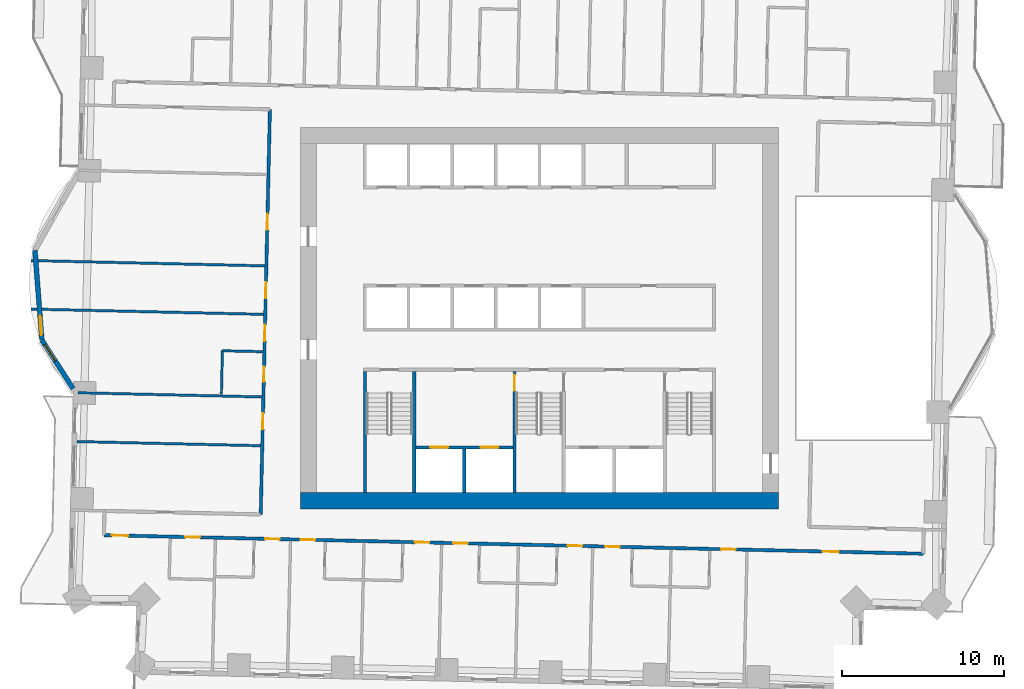
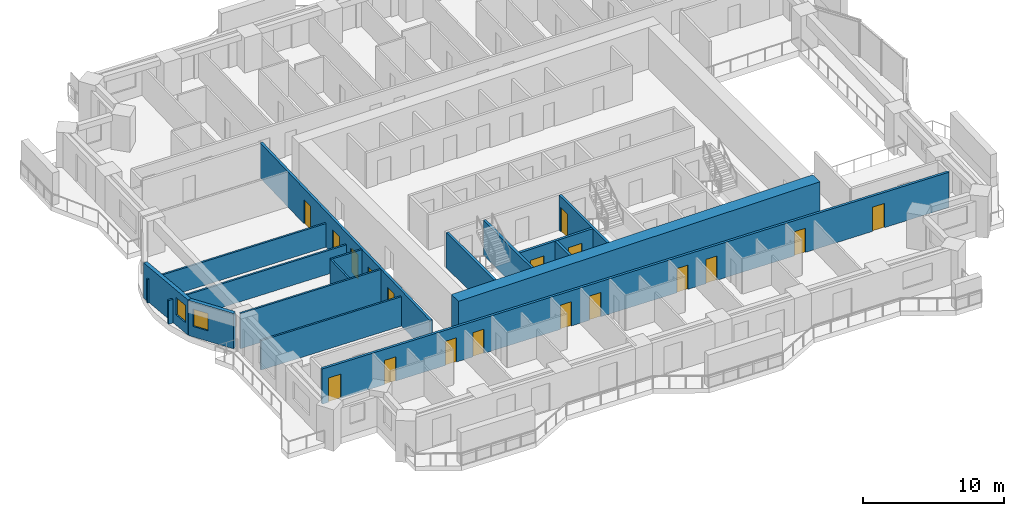
# One storey, part 7 of 16: 18 doors, 16 walls, 2 windows, 20 openings.
"""IFC4 building model written with IfcOpenShell, lengths in metres."""

from ifc_helpers import new_model, si_unit, direction, frame, frame_2d, origin, place, context, subcontext, project, spatial, rectangle, extrude, material, layer, layer_set, type_object, element, fill, save


model = new_model("IFC4")

# Units and contexts
model_context = context("Model", 3, precision=1e-05, world=origin(), true_north=direction((0.0, 1.0)))
body_context = subcontext(model_context, "Body", "Model", "MODEL_VIEW")
ifc_project = project(units=[si_unit("LENGTHUNIT", "METRE"), si_unit("AREAUNIT", "SQUARE_METRE"), si_unit("VOLUMEUNIT", "CUBIC_METRE"), si_unit("PLANEANGLEUNIT", "RADIAN"), si_unit("MASSUNIT", "GRAM", prefix="KILO")], contexts=[model_context])

# Site, building, storey
site_placement = place(None, origin())
site = spatial("IfcSite", under=ifc_project, at=site_placement, CompositionType="ELEMENT")
building_placement = place(site_placement, origin())
building = spatial("IfcBuilding", under=site, at=building_placement, Name="Mangrove Gate Tower", CompositionType="ELEMENT")
storey_placement = place(building_placement, frame((0.0, 0.0, 109.10009765625)))
storey = spatial("IfcBuildingStorey", under=building, at=storey_placement, Name="L27", CompositionType="ELEMENT", Elevation=109.10009765625)

# Wall, openings, doors
ifc_material_1 = material(Name="Concrete C70/85", Category="concrete")
ifc_layer_1 = layer(ifc_material_1, 0.199951171875)
ifc_layer_set_1 = layer_set([ifc_layer_1], Name="Core shaft wall 200 C70/85")
wall_type_1 = type_object("IfcWallType", Name="Core shaft wall 200 C70/85", PredefinedType="SHEAR", material=ifc_layer_set_1)
wall_1_placement = place(storey_placement, frame((-7.64990234375, -8.0, 0.0), z_axis=(0.0, 0.0, 1.0), x_axis=(1.0, 0.0, 0.0)))
wall_1 = element("IfcWall", 1, at=wall_1_placement, inside=storey, type_object=wall_type_1, Name="WALL-L27-CORE-15", PredefinedType="SHEAR", context=body_context, shape_type="SweptSolid", body=[
    extrude(rectangle(XDim=6.0, YDim=0.199951171875, at=frame_2d((3.0, 0.0))), origin(), (0.0, 0.0, 1.0), 3.0498046875),
])
opening_1_placement = place(wall_1_placement, frame((0.89990234375, 0.0, 0.0)))
opening_1 = element("IfcOpeningElement", 2, at=opening_1_placement, cuts=wall_1, Name="Opening LD", PredefinedType="OPENING", context=body_context, shape_type="SweptSolid", body=[
    extrude(rectangle(XDim=1.10009765625, YDim=2.10009765625, at=frame_2d((0.550048828125, 1.050048828125))), frame((0.0, 0.10986328125, 0.0), z_axis=(0.0, -1.0, 0.0), x_axis=(1.0, 0.0, 0.0)), (0.0, 0.0, 1.0), 0.219970703125),
])
opening_2_placement = place(wall_1_placement, frame((4.0, 0.0, 0.0)))
opening_2 = element("IfcOpeningElement", 3, at=opening_2_placement, cuts=wall_1, Name="Opening LD", PredefinedType="OPENING", context=body_context, shape_type="SweptSolid", body=[
    extrude(rectangle(XDim=1.10009765625, YDim=2.10009765625, at=frame_2d((0.550048828125, 1.050048828125))), frame((0.0, 0.10986328125, 0.0), z_axis=(0.0, -1.0, 0.0), x_axis=(1.0, 0.0, 0.0)), (0.0, 0.0, 1.0), 0.219970703125),
])
ifc_material_2 = material(Name="Stainless steel 316", Category="steel")
door_type_1 = type_object("IfcDoorType", Name="Lift landing door 1100x2100", OperationType="SLIDING_TO_LEFT", PredefinedType="DOOR", material=ifc_material_2)
door_1_placement = place(opening_1_placement, origin())
door_1 = element("IfcDoor", 4, at=door_1_placement, inside=storey, type_object=door_type_1, Name="Landing door LD SVL1", OperationType="SLIDING_TO_LEFT", OverallHeight=2.10009765625, OverallWidth=1.10009765625, PredefinedType="DOOR", context=body_context, shape_type="SweptSolid", body=[
    extrude(rectangle(XDim=1.10009765625, YDim=2.10009765625, at=frame_2d((0.550048828125, 1.050048828125))), frame((0.0, 0.02490234375, 0.0), z_axis=(0.0, -1.0, 0.0), x_axis=(1.0, 0.0, 0.0)), (0.0, 0.0, 1.0), 0.050048828125),
])
fill(opening_1, door_1)
door_2_placement = place(opening_2_placement, origin())
door_2 = element("IfcDoor", 5, at=door_2_placement, inside=storey, type_object=door_type_1, Name="Landing door LD SVL2", OperationType="SLIDING_TO_LEFT", OverallHeight=2.10009765625, OverallWidth=1.10009765625, PredefinedType="DOOR", context=body_context, shape_type="SweptSolid", body=[
    extrude(rectangle(XDim=1.10009765625, YDim=2.10009765625, at=frame_2d((0.550048828125, 1.050048828125))), frame((0.0, 0.02490234375, 0.0), z_axis=(0.0, -1.0, 0.0), x_axis=(1.0, 0.0, 0.0)), (0.0, 0.0, 1.0), 0.050048828125),
])
fill(opening_2, door_2)

# Walls
wall_2_placement = place(storey_placement, frame((-4.64990234375, -10.800048828125, 0.0), z_axis=(0.0, 0.0, 1.0), x_axis=(0.0, 1.0, 0.0)))
element("IfcWall", 6, at=wall_2_placement, inside=storey, type_object=wall_type_1, Name="WALL-L27-CORE-16", PredefinedType="SHEAR", context=body_context, shape_type="SweptSolid", body=[
    extrude(rectangle(XDim=2.699951171875, YDim=0.199951171875, at=frame_2d((1.35009765625, 0.0))), origin(), (0.0, 0.0, 1.0), 3.0498046875),
])
ifc_material_3 = material(Name="Concrete C70/85", Category="concrete")
ifc_layer_2 = layer(ifc_material_3, 0.199951171875)
ifc_layer_set_2 = layer_set([ifc_layer_2], Name="Core stair wall 200 C70/85")
wall_type_2 = type_object("IfcWallType", Name="Core stair wall 200 C70/85", PredefinedType="SHEAR", material=ifc_layer_set_2)
for number, where, z_axis, x_axis, name in (
    (7, (-10.800048828125, -10.800048828125, 0.0), (0.0, 0.0, 1.0), (0.0, 1.0, 0.0), "WALL-L27-CORE-9"),
    (8, (-7.75, -10.800048828125, 0.0), (0.0, 0.0, 1.0), (0.0, 1.0, 0.0), "WALL-L27-CORE-10"),
):
    element("IfcWall", number, at=place(storey_placement, frame(where, z_axis=z_axis, x_axis=x_axis)), inside=storey, type_object=wall_type_2, Name=name, PredefinedType="SHEAR", context=body_context, shape_type="SweptSolid", body=[
        extrude(rectangle(XDim=7.5, YDim=0.199951171875, at=frame_2d((3.75, 0.0))), origin(), (0.0, 0.0, 1.0), 3.0498046875),
    ])

# Wall, opening, door
wall_3_placement = place(storey_placement, frame((-1.550048828125, -10.800048828125, 0.0), z_axis=(0.0, 0.0, 1.0), x_axis=(0.0, 1.0, 0.0)))
wall_3 = element("IfcWall", 9, at=wall_3_placement, inside=storey, type_object=wall_type_2, Name="WALL-L27-CORE-11", PredefinedType="SHEAR", context=body_context, shape_type="SweptSolid", body=[
    extrude(rectangle(XDim=7.5, YDim=0.199951171875, at=frame_2d((3.75, 0.0))), origin(), (0.0, 0.0, 1.0), 3.0498046875),
])
opening_3_placement = place(wall_3_placement, frame((6.300048828125, 0.0, 0.0)))
opening_3 = element("IfcOpeningElement", 10, at=opening_3_placement, cuts=wall_3, Name="Opening STD10", PredefinedType="OPENING", context=body_context, shape_type="SweptSolid", body=[
    extrude(rectangle(XDim=1.0, YDim=2.10009765625, at=frame_2d((0.5, 1.050048828125))), frame((0.0, 0.10986328125, 0.0), z_axis=(0.0, -1.0, 0.0), x_axis=(1.0, 0.0, 0.0)), (0.0, 0.0, 1.0), 0.219970703125),
])
ifc_material_4 = material(Name="Fire-rated steel door set", Category="steel")
door_type_2 = type_object("IfcDoorType", Name="Stair door FD60 1000x2100", OperationType="SINGLE_SWING_RIGHT", PredefinedType="DOOR", material=ifc_material_4)
door_3_placement = place(opening_3_placement, origin())
door_3 = element("IfcDoor", 11, at=door_3_placement, inside=storey, type_object=door_type_2, Name="Stair door Stair 2 from service lobby", OperationType="SINGLE_SWING_RIGHT", OverallHeight=2.10009765625, OverallWidth=1.0, PredefinedType="DOOR", context=body_context, shape_type="SweptSolid", body=[
    extrude(rectangle(XDim=1.0, YDim=2.10009765625, at=frame_2d((0.5, 1.050048828125))), frame((0.0, 0.02490234375, 0.0), z_axis=(0.0, -1.0, 0.0), x_axis=(1.0, 0.0, 0.0)), (0.0, 0.0, 1.0), 0.050048828125),
])
fill(opening_3, door_3)

# Wall
ifc_material_5 = material(Name="Concrete C70/85", Category="concrete")
ifc_layer_3 = layer(ifc_material_5, 1.0)
ifc_layer_set_3 = layer_set([ifc_layer_3], Name="Core wall 1000 C70/85")
wall_type_3 = type_object("IfcWallType", Name="Core wall 1000 C70/85", PredefinedType="SHEAR", material=ifc_layer_set_3)
wall_4_placement = place(storey_placement, frame((-14.800048828125, -11.300048828125, 0.0), z_axis=(0.0, 0.0, 1.0), x_axis=(1.0, 0.0, 0.0)))
element("IfcWall", 12, at=wall_4_placement, inside=storey, type_object=wall_type_3, Name="WALL-L27-CORE-1", PredefinedType="SHEAR", context=body_context, shape_type="SweptSolid", body=[
    extrude(rectangle(XDim=29.60009765625, YDim=1.0, at=frame_2d((14.800048828125, 0.0))), origin(), (0.0, 0.0, 1.0), 3.599853515625),
])

# Wall, openings, doors
ifc_material_6 = material(Name="Gypsum board on steel stud, EI 60", Category="steel")
ifc_layer_4 = layer(ifc_material_6, 0.199951171875)
ifc_layer_set_4 = layer_set([ifc_layer_4], Name="Corridor wall EI 60")
wall_type_4 = type_object("IfcWallType", Name="Corridor wall EI 60", PredefinedType="PARTITIONING", material=ifc_layer_set_4)
wall_5_placement = place(storey_placement, frame((-26.952880859375, -13.428955078125, 0.0), z_axis=(0.0, 0.0, 1.0), x_axis=(0.999742734556, -0.02268181435, 0.0)))
wall_5 = element("IfcWall", 13, at=wall_5_placement, inside=storey, type_object=wall_type_4, Name="WALL-L27-022", PredefinedType="PARTITIONING", context=body_context, shape_type="SweptSolid", body=[
    extrude(rectangle(XDim=50.707763671875, YDim=0.199951171875, at=frame_2d((25.35400390625, 0.0))), origin(), (0.0, 0.0, 1.0), 3.0498046875),
])
opening_4_placement = place(wall_5_placement, frame((0.5, 0.0, 0.0)))
opening_4 = element("IfcOpeningElement", 14, at=opening_4_placement, cuts=wall_5, Name="Opening AD", PredefinedType="OPENING", context=body_context, shape_type="SweptSolid", body=[
    extrude(rectangle(XDim=1.0, YDim=2.10009765625, at=frame_2d((0.5, 1.050048828125))), frame((0.0, 0.10986328125, 0.0), z_axis=(0.0, -1.0, 0.0), x_axis=(1.0, 0.0, 0.0)), (0.0, 0.0, 1.0), 0.219970703125),
])
opening_5_placement = place(wall_5_placement, frame((5.050048828125, 0.0, 0.0)))
opening_5 = element("IfcOpeningElement", 15, at=opening_5_placement, cuts=wall_5, Name="Opening SD", PredefinedType="OPENING", context=body_context, shape_type="SweptSolid", body=[
    extrude(rectangle(XDim=0.89990234375, YDim=2.10009765625, at=frame_2d((0.449951171875, 1.050048828125))), frame((0.0, 0.10986328125, 0.0), z_axis=(0.0, -1.0, 0.0), x_axis=(1.0, 0.0, 0.0)), (0.0, 0.0, 1.0), 0.219970703125),
])
opening_6_placement = place(wall_5_placement, frame((9.97509765625, 0.0, 0.0)))
opening_6 = element("IfcOpeningElement", 16, at=opening_6_placement, cuts=wall_5, Name="Opening BD", PredefinedType="OPENING", context=body_context, shape_type="SweptSolid", body=[
    extrude(rectangle(XDim=0.89990234375, YDim=2.10009765625, at=frame_2d((0.449951171875, 1.050048828125))), frame((0.0, 0.10986328125, 0.0), z_axis=(0.0, -1.0, 0.0), x_axis=(1.0, 0.0, 0.0)), (0.0, 0.0, 1.0), 0.219970703125),
])
opening_7_placement = place(wall_5_placement, frame((12.175048828125, 0.0, 0.0)))
opening_7 = element("IfcOpeningElement", 17, at=opening_7_placement, cuts=wall_5, Name="Opening BD", PredefinedType="OPENING", context=body_context, shape_type="SweptSolid", body=[
    extrude(rectangle(XDim=0.89990234375, YDim=2.10009765625, at=frame_2d((0.449951171875, 1.050048828125))), frame((0.0, 0.10986328125, 0.0), z_axis=(0.0, -1.0, 0.0), x_axis=(1.0, 0.0, 0.0)), (0.0, 0.0, 1.0), 0.219970703125),
])
opening_8_placement = place(wall_5_placement, frame((19.25, 0.0, 0.0)))
opening_8 = element("IfcOpeningElement", 18, at=opening_8_placement, cuts=wall_5, Name="Opening BD", PredefinedType="OPENING", context=body_context, shape_type="SweptSolid", body=[
    extrude(rectangle(XDim=0.89990234375, YDim=2.10009765625, at=frame_2d((0.449951171875, 1.050048828125))), frame((0.0, 0.10986328125, 0.0), z_axis=(0.0, -1.0, 0.0), x_axis=(1.0, 0.0, 0.0)), (0.0, 0.0, 1.0), 0.219970703125),
])
opening_9_placement = place(wall_5_placement, frame((21.625, 0.0, 0.0)))
opening_9 = element("IfcOpeningElement", 19, at=opening_9_placement, cuts=wall_5, Name="Opening BD", PredefinedType="OPENING", context=body_context, shape_type="SweptSolid", body=[
    extrude(rectangle(XDim=0.89990234375, YDim=2.10009765625, at=frame_2d((0.449951171875, 1.050048828125))), frame((0.0, 0.10986328125, 0.0), z_axis=(0.0, -1.0, 0.0), x_axis=(1.0, 0.0, 0.0)), (0.0, 0.0, 1.0), 0.219970703125),
])
opening_10_placement = place(wall_5_placement, frame((28.699951171875, 0.0, 0.0)))
opening_10 = element("IfcOpeningElement", 20, at=opening_10_placement, cuts=wall_5, Name="Opening BD", PredefinedType="OPENING", context=body_context, shape_type="SweptSolid", body=[
    extrude(rectangle(XDim=0.89990234375, YDim=2.10009765625, at=frame_2d((0.449951171875, 1.050048828125))), frame((0.0, 0.10986328125, 0.0), z_axis=(0.0, -1.0, 0.0), x_axis=(1.0, 0.0, 0.0)), (0.0, 0.0, 1.0), 0.219970703125),
])
opening_11_placement = place(wall_5_placement, frame((31.02490234375, 0.0, 0.0)))
opening_11 = element("IfcOpeningElement", 21, at=opening_11_placement, cuts=wall_5, Name="Opening BD", PredefinedType="OPENING", context=body_context, shape_type="SweptSolid", body=[
    extrude(rectangle(XDim=0.89990234375, YDim=2.10009765625, at=frame_2d((0.449951171875, 1.050048828125))), frame((0.0, 0.10986328125, 0.0), z_axis=(0.0, -1.0, 0.0), x_axis=(1.0, 0.0, 0.0)), (0.0, 0.0, 1.0), 0.219970703125),
])
opening_12_placement = place(wall_5_placement, frame((38.199951171875, 0.0, 0.0)))
opening_12 = element("IfcOpeningElement", 22, at=opening_12_placement, cuts=wall_5, Name="Opening BD", PredefinedType="OPENING", context=body_context, shape_type="SweptSolid", body=[
    extrude(rectangle(XDim=0.89990234375, YDim=2.10009765625, at=frame_2d((0.449951171875, 1.050048828125))), frame((0.0, 0.10986328125, 0.0), z_axis=(0.0, -1.0, 0.0), x_axis=(1.0, 0.0, 0.0)), (0.0, 0.0, 1.0), 0.219970703125),
])
opening_13_placement = place(wall_5_placement, frame((44.48388671875, 0.0, 0.0)))
opening_13 = element("IfcOpeningElement", 23, at=opening_13_placement, cuts=wall_5, Name="Opening AD", PredefinedType="OPENING", context=body_context, shape_type="SweptSolid", body=[
    extrude(rectangle(XDim=1.0, YDim=2.10009765625, at=frame_2d((0.5, 1.050048828125))), frame((0.0, 0.10986328125, 0.0), z_axis=(0.0, -1.0, 0.0), x_axis=(1.0, 0.0, 0.0)), (0.0, 0.0, 1.0), 0.219970703125),
])
ifc_material_7 = material(Name="Timber door leaf", Category="wood")
door_type_3 = type_object("IfcDoorType", Name="Amenity door 1000", OperationType="SINGLE_SWING_LEFT", PredefinedType="DOOR", material=ifc_material_7)
door_4_placement = place(opening_4_placement, origin())
door_4 = element("IfcDoor", 24, at=door_4_placement, inside=storey, type_object=door_type_3, Name="DOOR-L27-KIT-c1a", OperationType="SINGLE_SWING_LEFT", OverallHeight=2.10009765625, OverallWidth=1.0, PredefinedType="DOOR", context=body_context, shape_type="SweptSolid", body=[
    extrude(rectangle(XDim=1.0, YDim=2.10009765625, at=frame_2d((0.5, 1.050048828125))), frame((0.0, 0.02490234375, 0.0), z_axis=(0.0, -1.0, 0.0), x_axis=(1.0, 0.0, 0.0)), (0.0, 0.0, 1.0), 0.050048828125),
])
fill(opening_4, door_4)
door_5_placement = place(opening_13_placement, origin())
door_5 = element("IfcDoor", 25, at=door_5_placement, inside=storey, type_object=door_type_3, Name="DOOR-L27-LNG-c3a", OperationType="SINGLE_SWING_RIGHT", OverallHeight=2.10009765625, OverallWidth=1.0, PredefinedType="DOOR", context=body_context, shape_type="SweptSolid", body=[
    extrude(rectangle(XDim=1.0, YDim=2.10009765625, at=frame_2d((0.5, 1.050048828125))), frame((0.0, 0.02490234375, 0.0), z_axis=(0.0, -1.0, 0.0), x_axis=(1.0, 0.0, 0.0)), (0.0, 0.0, 1.0), 0.050048828125),
])
fill(opening_13, door_5)
ifc_material_8 = material(Name="Timber door leaf", Category="wood")
door_type_4 = type_object("IfcDoorType", Name="Bedroom door 900", OperationType="SINGLE_SWING_LEFT", PredefinedType="DOOR", material=ifc_material_8)
door_6_placement = place(opening_6_placement, origin())
door_6 = element("IfcDoor", 26, at=door_6_placement, inside=storey, type_object=door_type_4, Name="DOOR-L27-BED-c101", OperationType="SINGLE_SWING_LEFT", OverallHeight=2.10009765625, OverallWidth=0.89990234375, PredefinedType="DOOR", context=body_context, shape_type="SweptSolid", body=[
    extrude(rectangle(XDim=0.89990234375, YDim=2.10009765625, at=frame_2d((0.449951171875, 1.050048828125))), frame((0.0, 0.02490234375, 0.0), z_axis=(0.0, -1.0, 0.0), x_axis=(1.0, 0.0, 0.0)), (0.0, 0.0, 1.0), 0.050048828125),
])
fill(opening_6, door_6)
door_7_placement = place(opening_7_placement, origin())
door_7 = element("IfcDoor", 27, at=door_7_placement, inside=storey, type_object=door_type_4, Name="DOOR-L27-BED-c102", OperationType="SINGLE_SWING_RIGHT", OverallHeight=2.10009765625, OverallWidth=0.89990234375, PredefinedType="DOOR", context=body_context, shape_type="SweptSolid", body=[
    extrude(rectangle(XDim=0.89990234375, YDim=2.10009765625, at=frame_2d((0.449951171875, 1.050048828125))), frame((0.0, 0.02490234375, 0.0), z_axis=(0.0, -1.0, 0.0), x_axis=(1.0, 0.0, 0.0)), (0.0, 0.0, 1.0), 0.050048828125),
])
fill(opening_7, door_7)
door_8_placement = place(opening_8_placement, origin())
door_8 = element("IfcDoor", 28, at=door_8_placement, inside=storey, type_object=door_type_4, Name="DOOR-L27-BED-c103", OperationType="SINGLE_SWING_LEFT", OverallHeight=2.10009765625, OverallWidth=0.89990234375, PredefinedType="DOOR", context=body_context, shape_type="SweptSolid", body=[
    extrude(rectangle(XDim=0.89990234375, YDim=2.10009765625, at=frame_2d((0.449951171875, 1.050048828125))), frame((0.0, 0.02490234375, 0.0), z_axis=(0.0, -1.0, 0.0), x_axis=(1.0, 0.0, 0.0)), (0.0, 0.0, 1.0), 0.050048828125),
])
fill(opening_8, door_8)
door_9_placement = place(opening_9_placement, origin())
door_9 = element("IfcDoor", 29, at=door_9_placement, inside=storey, type_object=door_type_4, Name="DOOR-L27-BED-c204", OperationType="SINGLE_SWING_RIGHT", OverallHeight=2.10009765625, OverallWidth=0.89990234375, PredefinedType="DOOR", context=body_context, shape_type="SweptSolid", body=[
    extrude(rectangle(XDim=0.89990234375, YDim=2.10009765625, at=frame_2d((0.449951171875, 1.050048828125))), frame((0.0, 0.02490234375, 0.0), z_axis=(0.0, -1.0, 0.0), x_axis=(1.0, 0.0, 0.0)), (0.0, 0.0, 1.0), 0.050048828125),
])
fill(opening_9, door_9)
door_10_placement = place(opening_10_placement, origin())
door_10 = element("IfcDoor", 30, at=door_10_placement, inside=storey, type_object=door_type_4, Name="DOOR-L27-BED-c205", OperationType="SINGLE_SWING_LEFT", OverallHeight=2.10009765625, OverallWidth=0.89990234375, PredefinedType="DOOR", context=body_context, shape_type="SweptSolid", body=[
    extrude(rectangle(XDim=0.89990234375, YDim=2.10009765625, at=frame_2d((0.449951171875, 1.050048828125))), frame((0.0, 0.02490234375, 0.0), z_axis=(0.0, -1.0, 0.0), x_axis=(1.0, 0.0, 0.0)), (0.0, 0.0, 1.0), 0.050048828125),
])
fill(opening_10, door_10)
door_11_placement = place(opening_11_placement, origin())
door_11 = element("IfcDoor", 31, at=door_11_placement, inside=storey, type_object=door_type_4, Name="DOOR-L27-BED-c206", OperationType="SINGLE_SWING_RIGHT", OverallHeight=2.10009765625, OverallWidth=0.89990234375, PredefinedType="DOOR", context=body_context, shape_type="SweptSolid", body=[
    extrude(rectangle(XDim=0.89990234375, YDim=2.10009765625, at=frame_2d((0.449951171875, 1.050048828125))), frame((0.0, 0.02490234375, 0.0), z_axis=(0.0, -1.0, 0.0), x_axis=(1.0, 0.0, 0.0)), (0.0, 0.0, 1.0), 0.050048828125),
])
fill(opening_11, door_11)
door_12_placement = place(opening_12_placement, origin())
door_12 = element("IfcDoor", 32, at=door_12_placement, inside=storey, type_object=door_type_4, Name="DOOR-L27-BED-c307", OperationType="SINGLE_SWING_LEFT", OverallHeight=2.10009765625, OverallWidth=0.89990234375, PredefinedType="DOOR", context=body_context, shape_type="SweptSolid", body=[
    extrude(rectangle(XDim=0.89990234375, YDim=2.10009765625, at=frame_2d((0.449951171875, 1.050048828125))), frame((0.0, 0.02490234375, 0.0), z_axis=(0.0, -1.0, 0.0), x_axis=(1.0, 0.0, 0.0)), (0.0, 0.0, 1.0), 0.050048828125),
])
fill(opening_12, door_12)
ifc_material_9 = material(Name="Timber door leaf", Category="wood")
door_type_5 = type_object("IfcDoorType", Name="Service room door 900", OperationType="SINGLE_SWING_LEFT", PredefinedType="DOOR", material=ifc_material_9)
door_13_placement = place(opening_5_placement, origin())
door_13 = element("IfcDoor", 33, at=door_13_placement, inside=storey, type_object=door_type_5, Name="DOOR-L27-LDY-c1a", OperationType="SINGLE_SWING_LEFT", OverallHeight=2.10009765625, OverallWidth=0.89990234375, PredefinedType="DOOR", context=body_context, shape_type="SweptSolid", body=[
    extrude(rectangle(XDim=0.89990234375, YDim=2.10009765625, at=frame_2d((0.449951171875, 1.050048828125))), frame((0.0, 0.02490234375, 0.0), z_axis=(0.0, -1.0, 0.0), x_axis=(1.0, 0.0, 0.0)), (0.0, 0.0, 1.0), 0.050048828125),
])
fill(opening_5, door_13)

wall_6_placement = place(storey_placement, frame((-17.2470703125, -12.14892578125, 0.0), z_axis=(0.0, 0.0, 1.0), x_axis=(0.022696191528, 0.999742408268, 0.0)))
wall_6 = element("IfcWall", 34, at=wall_6_placement, inside=storey, type_object=wall_type_4, Name="WALL-L27-027", PredefinedType="PARTITIONING", context=body_context, shape_type="SweptSolid", body=[
    extrude(rectangle(XDim=25.07421875, YDim=0.199951171875, at=frame_2d((12.537109375, 0.0))), origin(), (0.0, 0.0, 1.0), 3.0498046875),
])
opening_14_placement = place(wall_6_placement, frame((17.60400390625, 0.0, 0.0)))
opening_14 = element("IfcOpeningElement", 35, at=opening_14_placement, cuts=wall_6, Name="Opening AD", PredefinedType="OPENING", context=body_context, shape_type="SweptSolid", body=[
    extrude(rectangle(XDim=1.0, YDim=2.10009765625, at=frame_2d((0.5, 1.050048828125))), frame((0.0, 0.10986328125, 0.0), z_axis=(0.0, -1.0, 0.0), x_axis=(1.0, 0.0, 0.0)), (0.0, 0.0, 1.0), 0.219970703125),
])
opening_15_placement = place(wall_6_placement, frame((13.3759765625, 0.0, 0.0)))
opening_15 = element("IfcOpeningElement", 36, at=opening_15_placement, cuts=wall_6, Name="Opening AD", PredefinedType="OPENING", context=body_context, shape_type="SweptSolid", body=[
    extrude(rectangle(XDim=1.0, YDim=2.10009765625, at=frame_2d((0.5, 1.050048828125))), frame((0.0, 0.10986328125, 0.0), z_axis=(0.0, -1.0, 0.0), x_axis=(1.0, 0.0, 0.0)), (0.0, 0.0, 1.0), 0.219970703125),
])
opening_16_placement = place(wall_6_placement, frame((10.72509765625, 0.0, 0.0)))
opening_16 = element("IfcOpeningElement", 37, at=opening_16_placement, cuts=wall_6, Name="Opening AD", PredefinedType="OPENING", context=body_context, shape_type="SweptSolid", body=[
    extrude(rectangle(XDim=1.0, YDim=2.10009765625, at=frame_2d((0.5, 1.050048828125))), frame((0.0, 0.10986328125, 0.0), z_axis=(0.0, -1.0, 0.0), x_axis=(1.0, 0.0, 0.0)), (0.0, 0.0, 1.0), 0.219970703125),
])
opening_17_placement = place(wall_6_placement, frame((8.22509765625, 0.0, 0.0)))
opening_17 = element("IfcOpeningElement", 38, at=opening_17_placement, cuts=wall_6, Name="Opening SD", PredefinedType="OPENING", context=body_context, shape_type="SweptSolid", body=[
    extrude(rectangle(XDim=0.89990234375, YDim=2.10009765625, at=frame_2d((0.449951171875, 1.050048828125))), frame((0.0, 0.10986328125, 0.0), z_axis=(0.0, -1.0, 0.0), x_axis=(1.0, 0.0, 0.0)), (0.0, 0.0, 1.0), 0.219970703125),
])
opening_18_placement = place(wall_6_placement, frame((5.261962890625, 0.0, 0.0)))
opening_18 = element("IfcOpeningElement", 39, at=opening_18_placement, cuts=wall_6, Name="Opening AD", PredefinedType="OPENING", context=body_context, shape_type="SweptSolid", body=[
    extrude(rectangle(XDim=1.0, YDim=2.10009765625, at=frame_2d((0.5, 1.050048828125))), frame((0.0, 0.10986328125, 0.0), z_axis=(0.0, -1.0, 0.0), x_axis=(1.0, 0.0, 0.0)), (0.0, 0.0, 1.0), 0.219970703125),
])
door_14_placement = place(opening_14_placement, origin())
door_14 = element("IfcDoor", 40, at=door_14_placement, inside=storey, type_object=door_type_3, Name="DOOR-L27-GAM-c5b", OperationType="SINGLE_SWING_RIGHT", OverallHeight=2.10009765625, OverallWidth=1.0, PredefinedType="DOOR", context=body_context, shape_type="SweptSolid", body=[
    extrude(rectangle(XDim=1.0, YDim=2.10009765625, at=frame_2d((0.5, 1.050048828125))), frame((0.0, 0.02490234375, 0.0), z_axis=(0.0, -1.0, 0.0), x_axis=(1.0, 0.0, 0.0)), (0.0, 0.0, 1.0), 0.050048828125),
])
fill(opening_14, door_14)
door_15_placement = place(opening_15_placement, origin())
door_15 = element("IfcDoor", 41, at=door_15_placement, inside=storey, type_object=door_type_3, Name="DOOR-L27-STU-c5a", OperationType="SINGLE_SWING_LEFT", OverallHeight=2.10009765625, OverallWidth=1.0, PredefinedType="DOOR", context=body_context, shape_type="SweptSolid", body=[
    extrude(rectangle(XDim=1.0, YDim=2.10009765625, at=frame_2d((0.5, 1.050048828125))), frame((0.0, 0.02490234375, 0.0), z_axis=(0.0, -1.0, 0.0), x_axis=(1.0, 0.0, 0.0)), (0.0, 0.0, 1.0), 0.050048828125),
])
fill(opening_15, door_15)
door_16_placement = place(opening_16_placement, origin())
door_16 = element("IfcDoor", 42, at=door_16_placement, inside=storey, type_object=door_type_3, Name="DOOR-L27-KIT-c5b", OperationType="SINGLE_SWING_RIGHT", OverallHeight=2.10009765625, OverallWidth=1.0, PredefinedType="DOOR", context=body_context, shape_type="SweptSolid", body=[
    extrude(rectangle(XDim=1.0, YDim=2.10009765625, at=frame_2d((0.5, 1.050048828125))), frame((0.0, 0.02490234375, 0.0), z_axis=(0.0, -1.0, 0.0), x_axis=(1.0, 0.0, 0.0)), (0.0, 0.0, 1.0), 0.050048828125),
])
fill(opening_16, door_16)
door_17_placement = place(opening_18_placement, origin())
door_17 = element("IfcDoor", 43, at=door_17_placement, inside=storey, type_object=door_type_3, Name="DOOR-L27-STU-c5b", OperationType="SINGLE_SWING_LEFT", OverallHeight=2.10009765625, OverallWidth=1.0, PredefinedType="DOOR", context=body_context, shape_type="SweptSolid", body=[
    extrude(rectangle(XDim=1.0, YDim=2.10009765625, at=frame_2d((0.5, 1.050048828125))), frame((0.0, 0.02490234375, 0.0), z_axis=(0.0, -1.0, 0.0), x_axis=(1.0, 0.0, 0.0)), (0.0, 0.0, 1.0), 0.050048828125),
])
fill(opening_18, door_17)
door_18_placement = place(opening_17_placement, origin())
door_18 = element("IfcDoor", 44, at=door_18_placement, inside=storey, type_object=door_type_5, Name="DOOR-L27-LDY-c5a", OperationType="SINGLE_SWING_RIGHT", OverallHeight=2.10009765625, OverallWidth=0.89990234375, PredefinedType="DOOR", context=body_context, shape_type="SweptSolid", body=[
    extrude(rectangle(XDim=0.89990234375, YDim=2.10009765625, at=frame_2d((0.449951171875, 1.050048828125))), frame((0.0, 0.02490234375, 0.0), z_axis=(0.0, -1.0, 0.0), x_axis=(1.0, 0.0, 0.0)), (0.0, 0.0, 1.0), 0.050048828125),
])
fill(opening_17, door_18)

# Wall, opening, window
ifc_material_10 = material(Name="Limestone", Category="masonry")
ifc_layer_5 = layer(ifc_material_10, 0.0400390625, Name="Limestone cladding")
ifc_material_11 = material(Name="Ventilated air gap")
ifc_layer_6 = layer(ifc_material_11, 0.0400390625, Name="Ventilated cavity")
ifc_material_12 = material(Name="Mineral wool insulation")
ifc_layer_7 = layer(ifc_material_12, 0.06005859375, Name="Insulation")
ifc_material_13 = material(Name="Breather membrane")
ifc_layer_8 = layer(ifc_material_13, 0.001953125, Name="Breather membrane")
ifc_material_14 = material(Name="Concrete C20/25 blockwork", Category="masonry")
ifc_layer_9 = layer(ifc_material_14, 0.14990234375, Name="Blockwork backing wall")
ifc_material_15 = material(Name="Gypsum plaster")
ifc_layer_10 = layer(ifc_material_15, 0.008056640625, Name="Internal plaster")
ifc_layer_set_5 = layer_set([ifc_layer_5, ifc_layer_6, ifc_layer_7, ifc_layer_8, ifc_layer_9, ifc_layer_10], Name="External wall 300 limestone cladding")
wall_type_5 = type_object("IfcWallType", Name="External wall 300 limestone cladding", PredefinedType="SOLIDWALL", material=ifc_layer_set_5)
wall_7_placement = place(storey_placement, frame((-31.216064453125, 4.196044921875, 0.0), z_axis=(0.0, 0.0, 1.0), x_axis=(0.077178825362, -0.997017266107, 0.0)))
wall_7 = element("IfcWall", 45, at=wall_7_placement, inside=storey, type_object=wall_type_5, Name="WALL-L27-W9f2", PredefinedType="SOLIDWALL", context=body_context, shape_type="SweptSolid", body=[
    extrude(rectangle(XDim=5.57373046875, YDim=0.300048828125, at=frame_2d((2.786865234375, 0.0))), origin(), (0.0, 0.0, 1.0), 3.0498046875),
])
opening_19_placement = place(wall_7_placement, frame((4.05810546875, 0.0, 0.89990234375)))
opening_19 = element("IfcOpeningElement", 46, at=opening_19_placement, cuts=wall_7, Name="Opening W1", PredefinedType="OPENING", context=body_context, shape_type="SweptSolid", body=[
    extrude(rectangle(XDim=1.199951171875, YDim=1.5, at=frame_2d((0.60009765625, 0.75))), frame((0.0, 0.159912109375, 0.0), z_axis=(0.0, -1.0, 0.0), x_axis=(1.0, 0.0, 0.0)), (0.0, 0.0, 1.0), 0.320068359375),
])
ifc_material_16 = material(Name="Aluminium frame with double-glazed low-e glass", Category="aluminium")
window_type = type_object("IfcWindowType", Name="Side lite 1200x1500", PartitioningType="SINGLE_PANEL", PredefinedType="WINDOW", material=ifc_material_16)
window_1_placement = place(opening_19_placement, origin())
window_1 = element("IfcWindow", 47, at=window_1_placement, inside=storey, type_object=window_type, Name="WIN-L27-W9f2", OverallHeight=1.5, OverallWidth=1.199951171875, PartitioningType="SINGLE_PANEL", PredefinedType="WINDOW", context=body_context, shape_type="SweptSolid", body=[
    extrude(rectangle(XDim=1.199951171875, YDim=1.5, at=frame_2d((0.60009765625, 0.75))), frame((0.0, 0.030029296875, 0.0), z_axis=(0.0, -1.0, 0.0), x_axis=(1.0, 0.0, 0.0)), (0.0, 0.0, 1.0), 0.06005859375),
])
fill(opening_19, window_1)

wall_8_placement = place(storey_placement, frame((-30.785888671875, -1.361083984375, 0.0), z_axis=(0.0, 0.0, 1.0), x_axis=(0.54058467792, -0.841289608873, 0.0)))
wall_8 = element("IfcWall", 48, at=wall_8_placement, inside=storey, type_object=wall_type_5, Name="WALL-L27-W9f3", PredefinedType="SOLIDWALL", context=body_context, shape_type="SweptSolid", body=[
    extrude(rectangle(XDim=3.568359375, YDim=0.300048828125, at=frame_2d((1.7841796875, 0.0))), origin(), (0.0, 0.0, 1.0), 3.0498046875),
])
opening_20_placement = place(wall_8_placement, frame((0.337890625, 0.0, 0.89990234375)))
opening_20 = element("IfcOpeningElement", 49, at=opening_20_placement, cuts=wall_8, Name="Opening W1", PredefinedType="OPENING", context=body_context, shape_type="SweptSolid", body=[
    extrude(rectangle(XDim=1.199951171875, YDim=1.5, at=frame_2d((0.60009765625, 0.75))), frame((0.0, 0.159912109375, 0.0), z_axis=(0.0, -1.0, 0.0), x_axis=(1.0, 0.0, 0.0)), (0.0, 0.0, 1.0), 0.320068359375),
])
window_2_placement = place(opening_20_placement, origin())
window_2 = element("IfcWindow", 50, at=window_2_placement, inside=storey, type_object=window_type, Name="WIN-L27-W9f3", OverallHeight=1.5, OverallWidth=1.199951171875, PartitioningType="SINGLE_PANEL", PredefinedType="WINDOW", context=body_context, shape_type="SweptSolid", body=[
    extrude(rectangle(XDim=1.199951171875, YDim=1.5, at=frame_2d((0.60009765625, 0.75))), frame((0.0, 0.030029296875, 0.0), z_axis=(0.0, -1.0, 0.0), x_axis=(1.0, 0.0, 0.0)), (0.0, 0.0, 1.0), 0.06005859375),
])
fill(opening_20, window_2)

# Walls
ifc_material_17 = material(Name="Gypsum board on steel stud, EI 60", Category="steel")
ifc_layer_11 = layer(ifc_material_17, 0.14990234375)
ifc_layer_set_6 = layer_set([ifc_layer_11], Name="Party wall 150 EI 60")
wall_type_6 = type_object("IfcWallType", Name="Party wall 150 EI 60", PredefinedType="PARTITIONING", material=ifc_layer_set_6)
wall_9_placement = place(storey_placement, frame((-28.6220703125, -7.638916015625, 0.0), z_axis=(0.0, 0.0, 1.0), x_axis=(0.999742544331, -0.022690197315, 0.0)))
element("IfcWall", 51, at=wall_9_placement, inside=storey, type_object=wall_type_6, Name="WALL-L27-031", PredefinedType="PARTITIONING", context=body_context, shape_type="SweptSolid", body=[
    extrude(rectangle(XDim=11.373046875, YDim=0.14990234375, at=frame_2d((5.6865234375, 0.0))), origin(), (0.0, 0.0, 1.0), 2.5498046875),
])
wall_10_placement = place(storey_placement, frame((-28.552978515625, -4.6201171875, 0.0), z_axis=(0.0, 0.0, 1.0), x_axis=(0.999743020026, -0.022669228257, 0.0)))
element("IfcWall", 52, at=wall_10_placement, inside=storey, type_object=wall_type_6, Name="WALL-L27-032", PredefinedType="PARTITIONING", context=body_context, shape_type="SweptSolid", body=[
    extrude(rectangle(XDim=11.372802734375, YDim=0.14990234375, at=frame_2d((5.6865234375, 0.0))), origin(), (0.0, 0.0, 1.0), 3.0498046875),
])
wall_11_placement = place(storey_placement, frame((-19.679931640625, -4.740966796875, 0.0), z_axis=(0.0, 0.0, 1.0), x_axis=(0.022760079124, 0.999740955847, 0.0)))
element("IfcWall", 53, at=wall_11_placement, inside=storey, type_object=wall_type_6, Name="WALL-L27-033", PredefinedType="PARTITIONING", context=body_context, shape_type="SweptSolid", body=[
    extrude(rectangle(XDim=2.724609375, YDim=0.14990234375, at=frame_2d((1.3623046875, 0.0))), origin(), (0.0, 0.0, 1.0), 3.0498046875),
])
wall_12_placement = place(storey_placement, frame((-19.618896484375, -2.02197265625, 0.0), z_axis=(0.0, 0.0, 1.0), x_axis=(0.999738750294, -0.02285675306, 0.0)))
element("IfcWall", 54, at=wall_12_placement, inside=storey, type_object=wall_type_6, Name="WALL-L27-034", PredefinedType="PARTITIONING", context=body_context, shape_type="SweptSolid", body=[
    extrude(rectangle(XDim=2.49951171875, YDim=0.14990234375, at=frame_2d((1.249755859375, 0.0))), origin(), (0.0, 0.0, 1.0), 3.0498046875),
])
wall_13_placement = place(storey_placement, frame((-31.4580078125, 0.556884765625, 0.0), z_axis=(0.0, 0.0, 1.0), x_axis=(0.999743636126, -0.022642041092, 0.0)))
element("IfcWall", 55, at=wall_13_placement, inside=storey, type_object=wall_type_6, Name="WALL-L27-035", PredefinedType="PARTITIONING", context=body_context, shape_type="SweptSolid", body=[
    extrude(rectangle(XDim=14.394775390625, YDim=0.14990234375, at=frame_2d((7.197265625, 0.0))), origin(), (0.0, 0.0, 1.0), 2.0498046875),
])
wall_14_placement = place(storey_placement, frame((-31.445068359375, 3.55810546875, 0.0), z_axis=(0.0, 0.0, 1.0), x_axis=(0.999742140748, -0.022707972439, 0.0)))
element("IfcWall", 56, at=wall_14_placement, inside=storey, type_object=wall_type_6, Name="WALL-L27-036", PredefinedType="PARTITIONING", context=body_context, shape_type="SweptSolid", body=[
    extrude(rectangle(XDim=14.44970703125, YDim=0.14990234375, at=frame_2d((7.224853515625, 0.0))), origin(), (0.0, 0.0, 1.0), 2.0498046875),
])

save(model, "model.ifc")
